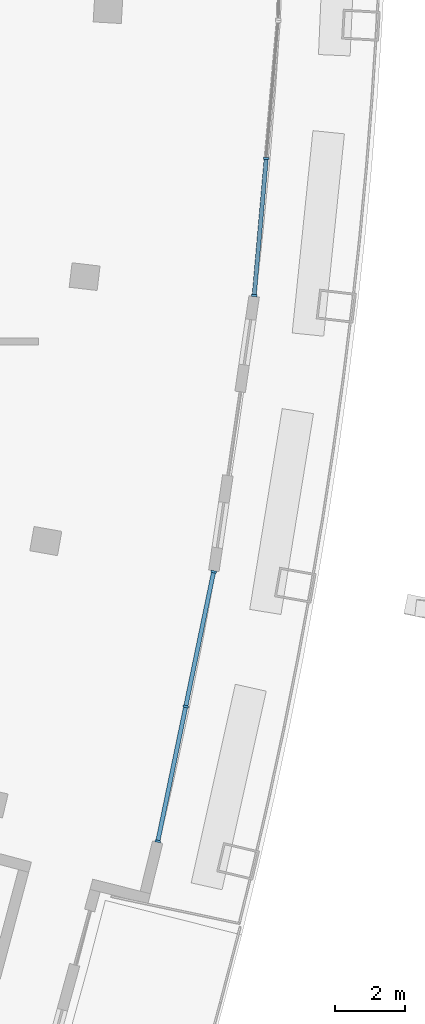
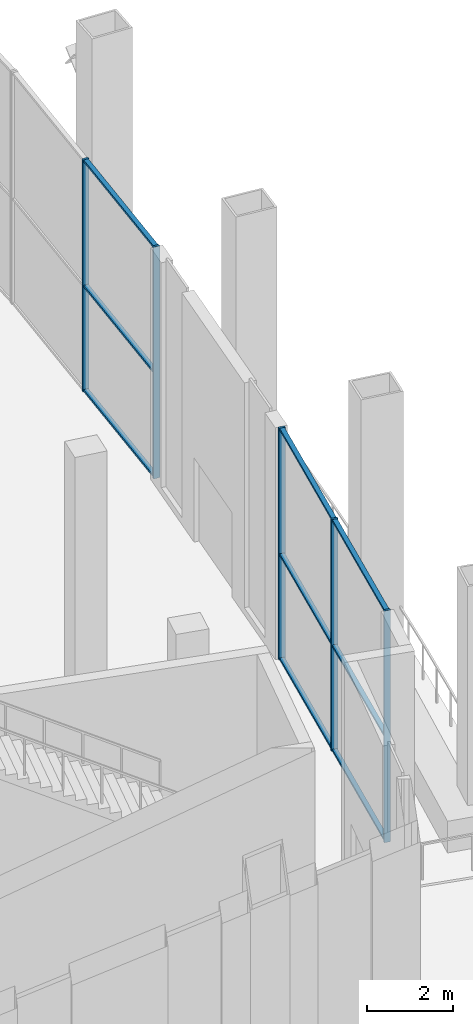
# One storey, part 7 of 24: 14 members, 2 elements without a shape of their own.
"""IFC4 building model written with IfcOpenShell, lengths in metres."""

from ifc_helpers import new_model, si_unit, direction, frame, origin, origin_2d, place, context, subcontext, project, spatial, rectangle, extrude, material, layer, layer_set, material_profile, profile_set, type_object, element, aggregate, save


model = new_model("IFC4")

# Units and contexts
model_context = context("Model", 3, precision=1e-05, world=origin(), true_north=direction((0.0, 1.0)))
body_context = subcontext(model_context, "Body", "Model", "MODEL_VIEW")
ifc_project = project(units=[si_unit("LENGTHUNIT", "METRE"), si_unit("AREAUNIT", "SQUARE_METRE"), si_unit("VOLUMEUNIT", "CUBIC_METRE"), si_unit("PLANEANGLEUNIT", "RADIAN"), si_unit("MASSUNIT", "GRAM", prefix="KILO")], contexts=[model_context])

# Site, building, storey
site_placement = place(None, origin())
site = spatial("IfcSite", under=ifc_project, at=site_placement, CompositionType="ELEMENT")
building_placement = place(site_placement, origin())
building = spatial("IfcBuilding", under=site, at=building_placement, Name="Alderwake Tower", CompositionType="ELEMENT")
storey_placement = place(building_placement, frame((0.0, 0.0, 232.39990234375)))
storey = spatial("IfcBuildingStorey", under=building, at=storey_placement, Name="L58", CompositionType="ELEMENT", Elevation=232.39990234375)

# Curtain wall, members
ifc_material_1 = material(Name="Bronze tinted glass in aluminium frame", Category="aluminium")
ifc_layer = layer(ifc_material_1, 0.199951171875)
ifc_layer_set = layer_set([ifc_layer], Name="Curtain wall CW3 sky garden glazing")
curtain_wall_type = type_object("IfcCurtainWallType", Name="Curtain wall CW3 sky garden glazing", PredefinedType="NOTDEFINED", material=ifc_layer_set)
curtain_wall_1_placement = place(storey_placement, origin())
curtain_wall_1 = element("IfcCurtainWall", 1, at=curtain_wall_1_placement, inside=storey, type_object=curtain_wall_type, Name="Curtain wall 2", PredefinedType="NOTDEFINED")
ifc_material_2 = material(Name="Aluminium bronze anodised", Category="aluminium")
ifc_material_profile_1 = material_profile(ifc_material_2, rectangle(XDim=0.159912109375, YDim=0.06005859375, at=origin_2d()), Name="Mullion MUC 60x160")
ifc_profile_set_1 = profile_set([ifc_material_profile_1], Name="Aluminium bronze anodised")
member_type_1 = type_object("IfcMemberType", Name="Mullion MUC 60x160", PredefinedType="MULLION", material=ifc_profile_set_1)
member_1_placement = place(storey_placement, frame((51.39599609375, 29.80126953125, 0.0), z_axis=(0.0, 0.0, 1.0), x_axis=(-0.979228543128, 0.202759612163, 0.0)))
member_1 = element("IfcMember", 2, at=member_1_placement, type_object=member_type_1, Name="CW.02 mullion 1", PredefinedType="MULLION", context=body_context, shape_type="SweptSolid", body=[
    extrude(rectangle(XDim=0.159912109375, YDim=0.06005859375, at=origin_2d()), origin(), (0.0, 0.0, 1.0), 6.60009765625),
])
member_2_placement = place(storey_placement, frame((52.188720703125, 33.630126953125, 0.0), z_axis=(0.0, 0.0, 1.0), x_axis=(-0.979228543128, 0.202759612163, 0.0)))
member_2 = element("IfcMember", 3, at=member_2_placement, type_object=member_type_1, Name="CW.02 mullion 2", PredefinedType="MULLION", context=body_context, shape_type="SweptSolid", body=[
    extrude(rectangle(XDim=0.159912109375, YDim=0.06005859375, at=origin_2d()), origin(), (0.0, 0.0, 1.0), 6.60009765625),
])
member_3_placement = place(storey_placement, frame((52.9814453125, 37.458740234375, 0.0), z_axis=(0.0, 0.0, 1.0), x_axis=(-0.979228543128, 0.202759612163, 0.0)))
member_3 = element("IfcMember", 4, at=member_3_placement, type_object=member_type_1, Name="CW.02 mullion 3", PredefinedType="MULLION", context=body_context, shape_type="SweptSolid", body=[
    extrude(rectangle(XDim=0.159912109375, YDim=0.06005859375, at=origin_2d()), origin(), (0.0, 0.0, 1.0), 6.60009765625),
])

curtain_wall_2_placement = place(storey_placement, origin())
curtain_wall_2 = element("IfcCurtainWall", 5, at=curtain_wall_2_placement, inside=storey, type_object=curtain_wall_type, Name="Curtain wall 3", PredefinedType="NOTDEFINED")
member_4_placement = place(storey_placement, frame((54.134521484375, 45.308349609375, 0.0), z_axis=(0.0, 0.0, 1.0), x_axis=(-0.996174200633, 0.087389713309, 0.0)))
member_4 = element("IfcMember", 6, at=member_4_placement, type_object=member_type_1, Name="CW.03 mullion 1", PredefinedType="MULLION", context=body_context, shape_type="SweptSolid", body=[
    extrude(rectangle(XDim=0.159912109375, YDim=0.06005859375, at=origin_2d()), origin(), (0.0, 0.0, 1.0), 6.60009765625),
])
member_5_placement = place(storey_placement, frame((54.47607421875, 49.203369140625, 0.0), z_axis=(0.0, 0.0, 1.0), x_axis=(-0.996174200633, 0.087389713309, 0.0)))
member_5 = element("IfcMember", 7, at=member_5_placement, type_object=member_type_1, Name="CW.03 mullion 2", PredefinedType="MULLION", context=body_context, shape_type="SweptSolid", body=[
    extrude(rectangle(XDim=0.159912109375, YDim=0.06005859375, at=origin_2d()), origin(), (0.0, 0.0, 1.0), 6.60009765625),
])

# Member
ifc_material_3 = material(Name="Aluminium bronze anodised", Category="aluminium")
ifc_material_profile_2 = material_profile(ifc_material_3, rectangle(XDim=0.1201171875, YDim=0.06005859375, at=origin_2d()), Name="Transom TRC 60x120")
ifc_profile_set_2 = profile_set([ifc_material_profile_2], Name="Aluminium bronze anodised")
member_type_2 = type_object("IfcMemberType", Name="Transom TRC 60x120", PredefinedType="USERDEFINED", material=ifc_profile_set_2)
member_6_placement = place(storey_placement, frame((51.402099609375, 29.830810546875, 0.030029296875), z_axis=(0.202746104139, 0.979231340009, 0.0), x_axis=(-0.979231340009, 0.202746104139, 0.0)))
member_6 = element("IfcMember", 8, at=member_6_placement, type_object=member_type_2, Name="CW.02 transom 1.1", ObjectType="TRANSOM", PredefinedType="USERDEFINED", context=body_context, shape_type="SweptSolid", body=[
    extrude(rectangle(XDim=0.1201171875, YDim=0.06005859375, at=origin_2d()), origin(), (0.0, 0.0, 1.0), 3.849609375),
])

member_7_placement = place(storey_placement, frame((51.402099609375, 29.830810546875, 3.0), z_axis=(0.202746104139, 0.979231340009, 0.0), x_axis=(-0.979231340009, 0.202746104139, 0.0)))
member_7 = element("IfcMember", 9, at=member_7_placement, type_object=member_type_2, Name="CW.02 transom 1.2", ObjectType="TRANSOM", PredefinedType="USERDEFINED", context=body_context, shape_type="SweptSolid", body=[
    extrude(rectangle(XDim=0.1201171875, YDim=0.06005859375, at=origin_2d()), origin(), (0.0, 0.0, 1.0), 3.849609375),
])

member_8_placement = place(storey_placement, frame((51.402099609375, 29.830810546875, 6.570068359375), z_axis=(0.202746104139, 0.979231340009, 0.0), x_axis=(-0.979231340009, 0.202746104139, 0.0)))
member_8 = element("IfcMember", 10, at=member_8_placement, type_object=member_type_2, Name="CW.02 transom 1.3", ObjectType="TRANSOM", PredefinedType="USERDEFINED", context=body_context, shape_type="SweptSolid", body=[
    extrude(rectangle(XDim=0.1201171875, YDim=0.06005859375, at=origin_2d()), origin(), (0.0, 0.0, 1.0), 3.849609375),
])

member_9_placement = place(storey_placement, frame((52.19482421875, 33.659423828125, 0.030029296875), z_axis=(0.202733514267, 0.97923394661, 0.0), x_axis=(-0.97923394661, 0.202733514267, 0.0)))
member_9 = element("IfcMember", 11, at=member_9_placement, type_object=member_type_2, Name="CW.02 transom 2.1", ObjectType="TRANSOM", PredefinedType="USERDEFINED", context=body_context, shape_type="SweptSolid", body=[
    extrude(rectangle(XDim=0.1201171875, YDim=0.06005859375, at=origin_2d()), origin(), (0.0, 0.0, 1.0), 3.849853515625),
])

member_10_placement = place(storey_placement, frame((52.19482421875, 33.659423828125, 3.0), z_axis=(0.202733514267, 0.97923394661, 0.0), x_axis=(-0.97923394661, 0.202733514267, 0.0)))
member_10 = element("IfcMember", 12, at=member_10_placement, type_object=member_type_2, Name="CW.02 transom 2.2", ObjectType="TRANSOM", PredefinedType="USERDEFINED", context=body_context, shape_type="SweptSolid", body=[
    extrude(rectangle(XDim=0.1201171875, YDim=0.06005859375, at=origin_2d()), origin(), (0.0, 0.0, 1.0), 3.849853515625),
])

member_11_placement = place(storey_placement, frame((52.19482421875, 33.659423828125, 6.570068359375), z_axis=(0.202733514267, 0.97923394661, 0.0), x_axis=(-0.97923394661, 0.202733514267, 0.0)))
member_11 = element("IfcMember", 13, at=member_11_placement, type_object=member_type_2, Name="CW.02 transom 2.3", ObjectType="TRANSOM", PredefinedType="USERDEFINED", context=body_context, shape_type="SweptSolid", body=[
    extrude(rectangle(XDim=0.1201171875, YDim=0.06005859375, at=origin_2d()), origin(), (0.0, 0.0, 1.0), 3.849853515625),
])

aggregate(curtain_wall_1, [member_1, member_2, member_3, member_6, member_7, member_8, member_9, member_10, member_11])

member_12_placement = place(storey_placement, frame((54.136962890625, 45.33837890625, 0.030029296875), z_axis=(0.087390372346, 0.996174142819, 0.0), x_axis=(-0.996174142819, 0.087390372346, 0.0)))
member_12 = element("IfcMember", 14, at=member_12_placement, type_object=member_type_2, Name="CW.03 transom 1.1", ObjectType="TRANSOM", PredefinedType="USERDEFINED", context=body_context, shape_type="SweptSolid", body=[
    extrude(rectangle(XDim=0.1201171875, YDim=0.06005859375, at=origin_2d()), origin(), (0.0, 0.0, 1.0), 3.849609375),
])

member_13_placement = place(storey_placement, frame((54.136962890625, 45.33837890625, 3.0), z_axis=(0.087390372346, 0.996174142819, 0.0), x_axis=(-0.996174142819, 0.087390372346, 0.0)))
member_13 = element("IfcMember", 15, at=member_13_placement, type_object=member_type_2, Name="CW.03 transom 1.2", ObjectType="TRANSOM", PredefinedType="USERDEFINED", context=body_context, shape_type="SweptSolid", body=[
    extrude(rectangle(XDim=0.1201171875, YDim=0.06005859375, at=origin_2d()), origin(), (0.0, 0.0, 1.0), 3.849609375),
])

member_14_placement = place(storey_placement, frame((54.136962890625, 45.33837890625, 6.570068359375), z_axis=(0.087390372346, 0.996174142819, 0.0), x_axis=(-0.996174142819, 0.087390372346, 0.0)))
member_14 = element("IfcMember", 16, at=member_14_placement, type_object=member_type_2, Name="CW.03 transom 1.3", ObjectType="TRANSOM", PredefinedType="USERDEFINED", context=body_context, shape_type="SweptSolid", body=[
    extrude(rectangle(XDim=0.1201171875, YDim=0.06005859375, at=origin_2d()), origin(), (0.0, 0.0, 1.0), 3.849609375),
])

aggregate(curtain_wall_2, [member_4, member_5, member_12, member_13, member_14])

save(model, "model.ifc")
